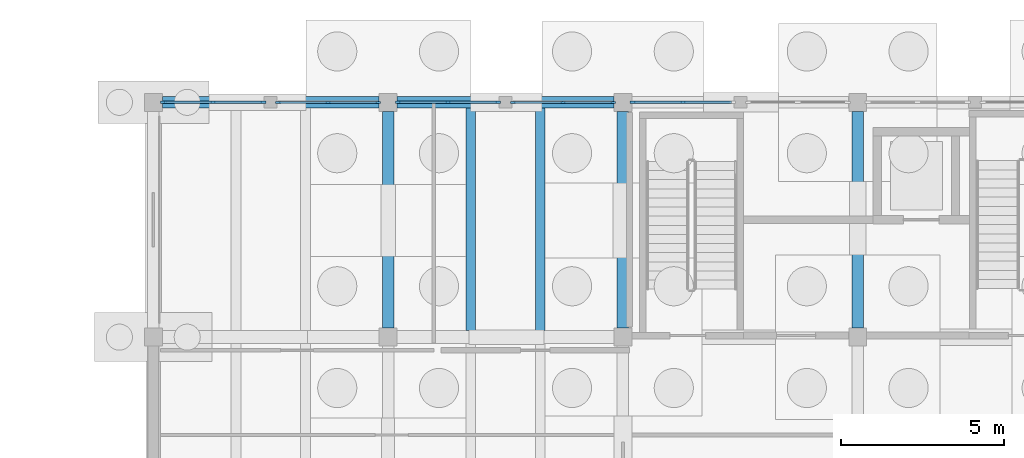
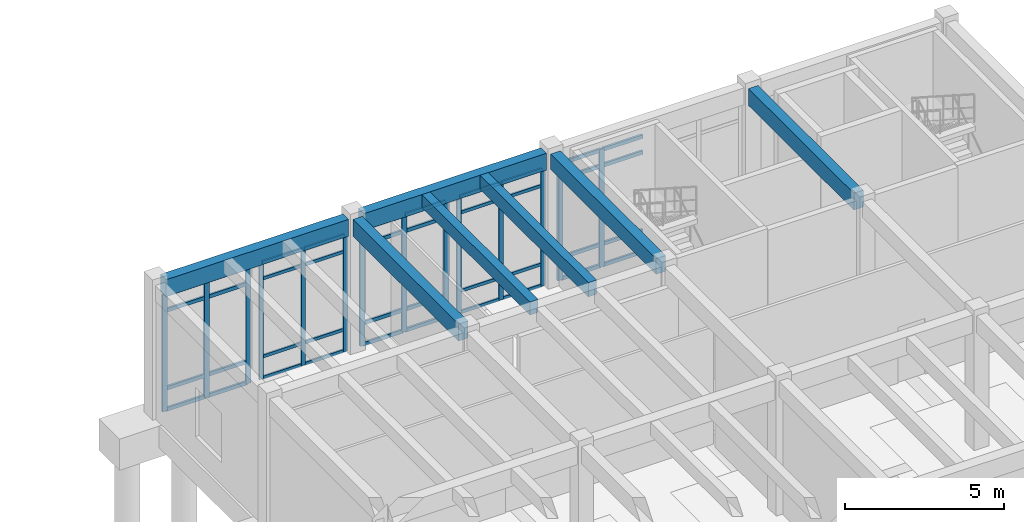
# One storey, part 32 of 93: 54 members, 7 beams, 5 elements without a shape of their own.
"""IFC4 building model written with IfcOpenShell, lengths in metres."""

from ifc_helpers import new_model, si_unit, direction, frame, origin, origin_2d, place, context, subcontext, project, spatial, rectangle, extrude, material, layer, layer_set, material_profile, profile_set, type_object, element, aggregate, save


model = new_model("IFC4")

# Units and contexts
model_context = context("Model", 3, precision=1e-05, world=origin(), true_north=direction((0.0, 1.0)))
body_context = subcontext(model_context, "Body", "Model", "MODEL_VIEW")
ifc_project = project(units=[si_unit("LENGTHUNIT", "METRE"), si_unit("AREAUNIT", "SQUARE_METRE"), si_unit("VOLUMEUNIT", "CUBIC_METRE"), si_unit("PLANEANGLEUNIT", "RADIAN"), si_unit("MASSUNIT", "GRAM", prefix="KILO")], contexts=[model_context])

# Site, building, storey
site_placement = place(None, origin())
site = spatial("IfcSite", under=ifc_project, at=site_placement, CompositionType="ELEMENT")
building_placement = place(site_placement, origin())
building = spatial("IfcBuilding", under=site, at=building_placement, Name="Koriwan Promenade Central Fire Station", CompositionType="ELEMENT")
storey_placement = place(building_placement, origin())
storey = spatial("IfcBuildingStorey", under=building, at=storey_placement, Name="L00", CompositionType="ELEMENT", Elevation=0.0)

# Beams
ifc_material_1 = material(Name="Concrete C35/45", Category="concrete")
ifc_material_profile_1 = material_profile(ifc_material_1, rectangle(XDim=0.300048828125, YDim=0.5, at=origin_2d()), Name="RC-BM-300x500")
ifc_profile_set_1 = profile_set([ifc_material_profile_1], Name="Concrete C35/45")
beam_type_1 = type_object("IfcBeamType", Name="Beam_RC-BM-300x500", PredefinedType="JOIST", material=ifc_profile_set_1)
beam_1_placement = place(storey_placement, frame((81.736083984375, 108.199951171875, 4.929931640625), z_axis=(0.0, 1.0, 0.0), x_axis=(-1.0, 0.0, 0.0)))
element("IfcBeam", 1, at=beam_1_placement, inside=storey, type_object=beam_type_1, Name="V2 L00 secondary joist 119", PredefinedType="JOIST", context=body_context, shape_type="SweptSolid", body=[
    extrude(rectangle(XDim=0.300048828125, YDim=0.5, at=origin_2d()), origin(), (0.0, 0.0, 1.0), 6.824951171875),
])
ifc_material_profile_2 = material_profile(ifc_material_1, rectangle(XDim=0.300048828125, YDim=0.550048828125, at=origin_2d()), Name="RC-BM-300x550")
ifc_profile_set_2 = profile_set([ifc_material_profile_2], Name="Concrete C35/45")
beam_type_2 = type_object("IfcBeamType", Name="Beam_RC-BM-300x550", PredefinedType="JOIST", material=ifc_profile_set_2)
beam_2_placement = place(storey_placement, frame((83.864013671875, 108.199951171875, 4.905029296875), z_axis=(0.0, 1.0, 0.0), x_axis=(-1.0, 0.0, 0.0)))
element("IfcBeam", 2, at=beam_2_placement, inside=storey, type_object=beam_type_2, Name="V2 L00 secondary joist 120", PredefinedType="JOIST", context=body_context, shape_type="SweptSolid", body=[
    extrude(rectangle(XDim=0.300048828125, YDim=0.550048828125, at=origin_2d()), origin(), (0.0, 0.0, 1.0), 6.824951171875),
])
ifc_material_profile_3 = material_profile(ifc_material_1, rectangle(XDim=0.35009765625, YDim=0.60009765625, at=origin_2d()), Name="RC-BM-350x600")
ifc_profile_set_3 = profile_set([ifc_material_profile_3], Name="Concrete C35/45")
beam_type_3 = type_object("IfcBeamType", Name="Beam_RC-BM-350x600", PredefinedType="BEAM", material=ifc_profile_set_3)
beam_3_placement = place(storey_placement, frame((86.39990234375, 108.27490234375, 4.8798828125), z_axis=(0.0, 1.0, 0.0), x_axis=(-1.0, 0.0, 0.0)))
element("IfcBeam", 3, at=beam_3_placement, inside=storey, type_object=beam_type_3, Name="V2 L00 girder Y-104", PredefinedType="BEAM", context=body_context, shape_type="SweptSolid", body=[
    extrude(rectangle(XDim=0.35009765625, YDim=0.60009765625, at=origin_2d()), origin(), (0.0, 0.0, 1.0), 6.650146484375),
])
ifc_material_profile_4 = material_profile(ifc_material_1, rectangle(XDim=0.35009765625, YDim=0.64990234375, at=origin_2d()), Name="RC-BM-350x650")
ifc_profile_set_4 = profile_set([ifc_material_profile_4], Name="Concrete C35/45")
beam_type_4 = type_object("IfcBeamType", Name="Beam_RC-BM-350x650", PredefinedType="BEAM", material=ifc_profile_set_4)
for number, where, z_axis, x_axis, name in (
    (4, (79.199951171875, 108.27490234375, 4.85498046875), (0.0, 1.0, 0.0), (-1.0, 0.0, 0.0), "V2 L00 girder Y-101"),
    (5, (93.60009765625, 108.27490234375, 4.85498046875), (0.0, 1.0, 0.0), (-1.0, 0.0, 0.0), "V2 L00 girder Y-107"),
):
    element("IfcBeam", number, at=place(storey_placement, frame(where, z_axis=z_axis, x_axis=x_axis)), inside=storey, type_object=beam_type_4, Name=name, PredefinedType="BEAM", context=body_context, shape_type="SweptSolid", body=[
        extrude(rectangle(XDim=0.35009765625, YDim=0.64990234375, at=origin_2d()), origin(), (0.0, 0.0, 1.0), 6.650146484375),
    ])
ifc_material_profile_5 = material_profile(ifc_material_1, rectangle(XDim=0.35009765625, YDim=0.64990234375, at=origin_2d()), Name="RC-SP-350x650")
ifc_profile_set_5 = profile_set([ifc_material_profile_5], Name="Concrete C35/45")
beam_type_5 = type_object("IfcBeamType", Name="Beam_RC-SP-350x650", PredefinedType="SPANDREL", material=ifc_profile_set_5)
beam_4_placement = place(storey_placement, frame((72.27490234375, 115.199951171875, 4.8349609375), z_axis=(1.0, 0.0, 0.0), x_axis=(0.0, 1.0, 0.0)))
element("IfcBeam", 6, at=beam_4_placement, inside=storey, type_object=beam_type_5, Name="V2 L00 girder X-92", PredefinedType="SPANDREL", context=body_context, shape_type="SweptSolid", body=[
    extrude(rectangle(XDim=0.35009765625, YDim=0.64990234375, at=origin_2d()), origin(), (0.0, 0.0, 1.0), 6.650146484375),
])
beam_5_placement = place(storey_placement, frame((79.47509765625, 115.199951171875, 4.85498046875), z_axis=(1.0, 0.0, 0.0), x_axis=(0.0, 1.0, 0.0)))
element("IfcBeam", 7, at=beam_5_placement, inside=storey, type_object=beam_type_5, Name="V2 L00 girder X-93", PredefinedType="SPANDREL", context=body_context, shape_type="SweptSolid", body=[
    extrude(rectangle(XDim=0.35009765625, YDim=0.64990234375, at=origin_2d()), origin(), (0.0, 0.0, 1.0), 6.64990234375),
])

# Curtain wall, members
ifc_material_2 = material(Name="Aluminium EN AW-6063-T6 and low-E glazing", Category="aluminium")
ifc_layer_1 = layer(ifc_material_2, 0.159912109375, Name="Aluminium EN AW-6063-T6 and low-E glazing")
ifc_layer_set_1 = layer_set([ifc_layer_1], Name="Aluminium EN AW-6063-T6 and low-E glazing")
curtain_wall_type_1 = type_object("IfcCurtainWallType", Name="CurtainWall_03_312x452", PredefinedType="USERDEFINED", material=ifc_layer_set_1)
curtain_wall_1_placement = place(storey_placement, origin())
curtain_wall_1 = element("IfcCurtainWall", 8, at=curtain_wall_1_placement, inside=storey, type_object=curtain_wall_type_1, Name="V2 L00 unitised curtain wall 017", ObjectType="UNITISED CURTAIN WALL", PredefinedType="USERDEFINED")
ifc_material_3 = material(Name="Aluminium EN AW-6063-T6", Category="aluminium")
ifc_material_profile_6 = material_profile(ifc_material_3, rectangle(XDim=0.06494140625, YDim=0.159912109375, at=origin_2d()), Name="ALU-MUL-65x160")
ifc_profile_set_6 = profile_set([ifc_material_profile_6], Name="Aluminium EN AW-6063-T6")
member_type_1 = type_object("IfcMemberType", Name="CWMullion_ALU-MUL-65x160", PredefinedType="MULLION", material=ifc_profile_set_6)
member_1_placement = place(storey_placement, frame((86.092529296875, 115.199951171875, 0.0), z_axis=(0.0, 0.0, 1.0), x_axis=(0.0, -1.0, 0.0)))
member_1 = element("IfcMember", 9, at=member_1_placement, type_object=member_type_1, Name="CW-03 mullion 1", PredefinedType="MULLION", context=body_context, shape_type="SweptSolid", body=[
    extrude(rectangle(XDim=0.06494140625, YDim=0.159912109375, at=origin_2d()), origin(), (0.0, 0.0, 1.0), 4.52001953125),
])
member_2_placement = place(storey_placement, frame((84.5625, 115.199951171875, 0.0), z_axis=(0.0, 0.0, 1.0), x_axis=(0.0, -1.0, 0.0)))
member_2 = element("IfcMember", 10, at=member_2_placement, type_object=member_type_1, Name="CW-03 mullion 2", PredefinedType="MULLION", context=body_context, shape_type="SweptSolid", body=[
    extrude(rectangle(XDim=0.06494140625, YDim=0.159912109375, at=origin_2d()), origin(), (0.0, 0.0, 1.0), 4.52001953125),
])
member_3_placement = place(storey_placement, frame((83.032470703125, 115.199951171875, 0.0), z_axis=(0.0, 0.0, 1.0), x_axis=(0.0, -1.0, 0.0)))
member_3 = element("IfcMember", 11, at=member_3_placement, type_object=member_type_1, Name="CW-03 mullion 3", PredefinedType="MULLION", context=body_context, shape_type="SweptSolid", body=[
    extrude(rectangle(XDim=0.06494140625, YDim=0.159912109375, at=origin_2d()), origin(), (0.0, 0.0, 1.0), 4.52001953125),
])

ifc_layer_2 = layer(ifc_material_2, 0.159912109375, Name="Aluminium EN AW-6063-T6 and low-E glazing")
ifc_layer_set_2 = layer_set([ifc_layer_2], Name="Aluminium EN AW-6063-T6 and low-E glazing")
curtain_wall_type_2 = type_object("IfcCurtainWallType", Name="CurtainWall_05_312x450", PredefinedType="USERDEFINED", material=ifc_layer_set_2)
curtain_wall_2_placement = place(storey_placement, origin())
curtain_wall_2 = element("IfcCurtainWall", 12, at=curtain_wall_2_placement, inside=storey, type_object=curtain_wall_type_2, Name="V2 L00 unitised curtain wall 019", ObjectType="UNITISED CURTAIN WALL", PredefinedType="USERDEFINED")
member_4_placement = place(storey_placement, frame((78.892578125, 115.199951171875, 0.0), z_axis=(0.0, 0.0, 1.0), x_axis=(0.0, -1.0, 0.0)))
member_4 = element("IfcMember", 13, at=member_4_placement, type_object=member_type_1, Name="CW-05 mullion 1", PredefinedType="MULLION", context=body_context, shape_type="SweptSolid", body=[
    extrude(rectangle(XDim=0.06494140625, YDim=0.159912109375, at=origin_2d()), origin(), (0.0, 0.0, 1.0), 4.5),
])
member_5_placement = place(storey_placement, frame((77.362548828125, 115.199951171875, 0.0), z_axis=(0.0, 0.0, 1.0), x_axis=(0.0, -1.0, 0.0)))
member_5 = element("IfcMember", 14, at=member_5_placement, type_object=member_type_1, Name="CW-05 mullion 2", PredefinedType="MULLION", context=body_context, shape_type="SweptSolid", body=[
    extrude(rectangle(XDim=0.06494140625, YDim=0.159912109375, at=origin_2d()), origin(), (0.0, 0.0, 1.0), 4.5),
])
member_6_placement = place(storey_placement, frame((75.83251953125, 115.199951171875, 0.0), z_axis=(0.0, 0.0, 1.0), x_axis=(0.0, -1.0, 0.0)))
member_6 = element("IfcMember", 15, at=member_6_placement, type_object=member_type_1, Name="CW-05 mullion 3", PredefinedType="MULLION", context=body_context, shape_type="SweptSolid", body=[
    extrude(rectangle(XDim=0.06494140625, YDim=0.159912109375, at=origin_2d()), origin(), (0.0, 0.0, 1.0), 4.5),
])

ifc_layer_3 = layer(ifc_material_2, 0.159912109375, Name="Aluminium EN AW-6063-T6 and low-E glazing")
ifc_layer_set_3 = layer_set([ifc_layer_3], Name="Aluminium EN AW-6063-T6 and low-E glazing")
curtain_wall_type_3 = type_object("IfcCurtainWallType", Name="CurtainWall_04_312x452", PredefinedType="USERDEFINED", material=ifc_layer_set_3)
curtain_wall_3_placement = place(storey_placement, origin())
curtain_wall_3 = element("IfcCurtainWall", 16, at=curtain_wall_3_placement, inside=storey, type_object=curtain_wall_type_3, Name="V2 L00 unitised curtain wall 016", ObjectType="UNITISED CURTAIN WALL", PredefinedType="USERDEFINED")
ifc_material_profile_7 = material_profile(ifc_material_3, rectangle(XDim=0.074951171875, YDim=0.179931640625, at=origin_2d()), Name="ALU-MUL-75x180")
ifc_profile_set_7 = profile_set([ifc_material_profile_7], Name="Aluminium EN AW-6063-T6")
member_type_2 = type_object("IfcMemberType", Name="CWMullion_ALU-MUL-75x180", PredefinedType="MULLION", material=ifc_profile_set_7)
member_7_placement = place(storey_placement, frame((88.237548828125, 115.199951171875, 0.0), z_axis=(0.0, 0.0, 1.0), x_axis=(0.0, -1.0, 0.0)))
member_7 = element("IfcMember", 17, at=member_7_placement, type_object=member_type_2, Name="CW-04 mullion 2", PredefinedType="MULLION", context=body_context, shape_type="SweptSolid", body=[
    extrude(rectangle(XDim=0.074951171875, YDim=0.179931640625, at=origin_2d()), origin(), (0.0, 0.0, 1.0), 4.52001953125),
])
member_8_placement = place(storey_placement, frame((86.71240234375, 115.199951171875, 0.0), z_axis=(0.0, 0.0, 1.0), x_axis=(0.0, -1.0, 0.0)))
member_8 = element("IfcMember", 18, at=member_8_placement, type_object=member_type_2, Name="CW-04 mullion 3", PredefinedType="MULLION", context=body_context, shape_type="SweptSolid", body=[
    extrude(rectangle(XDim=0.074951171875, YDim=0.179931640625, at=origin_2d()), origin(), (0.0, 0.0, 1.0), 4.52001953125),
])

curtain_wall_4_placement = place(storey_placement, origin())
curtain_wall_4 = element("IfcCurtainWall", 19, at=curtain_wall_4_placement, inside=storey, type_object=curtain_wall_type_3, Name="V2 L00 unitised curtain wall 018", ObjectType="UNITISED CURTAIN WALL", PredefinedType="USERDEFINED")
member_9_placement = place(storey_placement, frame((82.5625, 115.199951171875, 0.0), z_axis=(0.0, 0.0, 1.0), x_axis=(0.0, -1.0, 0.0)))
member_9 = element("IfcMember", 20, at=member_9_placement, type_object=member_type_2, Name="CW-04 mullion 1", PredefinedType="MULLION", context=body_context, shape_type="SweptSolid", body=[
    extrude(rectangle(XDim=0.074951171875, YDim=0.179931640625, at=origin_2d()), origin(), (0.0, 0.0, 1.0), 4.52001953125),
])
member_10_placement = place(storey_placement, frame((81.03759765625, 115.199951171875, 0.0), z_axis=(0.0, 0.0, 1.0), x_axis=(0.0, -1.0, 0.0)))
member_10 = element("IfcMember", 21, at=member_10_placement, type_object=member_type_2, Name="CW-04 mullion 2", PredefinedType="MULLION", context=body_context, shape_type="SweptSolid", body=[
    extrude(rectangle(XDim=0.074951171875, YDim=0.179931640625, at=origin_2d()), origin(), (0.0, 0.0, 1.0), 4.52001953125),
])
member_11_placement = place(storey_placement, frame((79.512451171875, 115.199951171875, 0.0), z_axis=(0.0, 0.0, 1.0), x_axis=(0.0, -1.0, 0.0)))
member_11 = element("IfcMember", 22, at=member_11_placement, type_object=member_type_2, Name="CW-04 mullion 3", PredefinedType="MULLION", context=body_context, shape_type="SweptSolid", body=[
    extrude(rectangle(XDim=0.074951171875, YDim=0.179931640625, at=origin_2d()), origin(), (0.0, 0.0, 1.0), 4.52001953125),
])

ifc_layer_4 = layer(ifc_material_2, 0.159912109375, Name="Aluminium EN AW-6063-T6 and low-E glazing")
ifc_layer_set_4 = layer_set([ifc_layer_4], Name="Aluminium EN AW-6063-T6 and low-E glazing")
curtain_wall_type_4 = type_object("IfcCurtainWallType", Name="CurtainWall_06_312x450", PredefinedType="USERDEFINED", material=ifc_layer_set_4)
curtain_wall_5_placement = place(storey_placement, origin())
curtain_wall_5 = element("IfcCurtainWall", 23, at=curtain_wall_5_placement, inside=storey, type_object=curtain_wall_type_4, Name="V2 L00 unitised curtain wall 020", ObjectType="UNITISED CURTAIN WALL", PredefinedType="USERDEFINED")
member_12_placement = place(storey_placement, frame((75.362548828125, 115.199951171875, 0.0), z_axis=(0.0, 0.0, 1.0), x_axis=(0.0, -1.0, 0.0)))
member_12 = element("IfcMember", 24, at=member_12_placement, type_object=member_type_2, Name="CW-06 mullion 1", PredefinedType="MULLION", context=body_context, shape_type="SweptSolid", body=[
    extrude(rectangle(XDim=0.074951171875, YDim=0.179931640625, at=origin_2d()), origin(), (0.0, 0.0, 1.0), 4.5),
])
member_13_placement = place(storey_placement, frame((73.83740234375, 115.199951171875, 0.0), z_axis=(0.0, 0.0, 1.0), x_axis=(0.0, -1.0, 0.0)))
member_13 = element("IfcMember", 25, at=member_13_placement, type_object=member_type_2, Name="CW-06 mullion 2", PredefinedType="MULLION", context=body_context, shape_type="SweptSolid", body=[
    extrude(rectangle(XDim=0.074951171875, YDim=0.179931640625, at=origin_2d()), origin(), (0.0, 0.0, 1.0), 4.5),
])
member_14_placement = place(storey_placement, frame((72.3125, 115.199951171875, 0.0), z_axis=(0.0, 0.0, 1.0), x_axis=(0.0, -1.0, 0.0)))
member_14 = element("IfcMember", 26, at=member_14_placement, type_object=member_type_2, Name="CW-06 mullion 3", PredefinedType="MULLION", context=body_context, shape_type="SweptSolid", body=[
    extrude(rectangle(XDim=0.074951171875, YDim=0.179931640625, at=origin_2d()), origin(), (0.0, 0.0, 1.0), 4.5),
])

# Member
ifc_material_profile_8 = material_profile(ifc_material_3, rectangle(XDim=0.06494140625, YDim=0.1201171875, at=origin_2d()), Name="ALU-TRN-65x120")
ifc_profile_set_8 = profile_set([ifc_material_profile_8], Name="Aluminium EN AW-6063-T6")
member_type_3 = type_object("IfcMemberType", Name="CWTransom_ALU-TRN-65x120", PredefinedType="USERDEFINED", material=ifc_profile_set_8)
member_15_placement = place(storey_placement, frame((86.06005859375, 115.199951171875, 0.032470703125), z_axis=(-1.0, 0.0, 0.0), x_axis=(0.0, -1.0, 0.0)))
member_15 = element("IfcMember", 27, at=member_15_placement, type_object=member_type_3, Name="CW-03 transom 1.1", ObjectType="TRANSOM", PredefinedType="USERDEFINED", context=body_context, shape_type="SweptSolid", body=[
    extrude(rectangle(XDim=0.06494140625, YDim=0.1201171875, at=origin_2d()), origin(), (0.0, 0.0, 1.0), 1.465087890625),
])

member_16_placement = place(storey_placement, frame((86.06005859375, 115.199951171875, 0.85009765625), z_axis=(-1.0, 0.0, 0.0), x_axis=(0.0, -1.0, 0.0)))
member_16 = element("IfcMember", 28, at=member_16_placement, type_object=member_type_3, Name="CW-03 transom 1.2", ObjectType="TRANSOM", PredefinedType="USERDEFINED", context=body_context, shape_type="SweptSolid", body=[
    extrude(rectangle(XDim=0.06494140625, YDim=0.1201171875, at=origin_2d()), origin(), (0.0, 0.0, 1.0), 1.465087890625),
])

member_17_placement = place(storey_placement, frame((86.06005859375, 115.199951171875, 3.8701171875), z_axis=(-1.0, 0.0, 0.0), x_axis=(0.0, -1.0, 0.0)))
member_17 = element("IfcMember", 29, at=member_17_placement, type_object=member_type_3, Name="CW-03 transom 1.3", ObjectType="TRANSOM", PredefinedType="USERDEFINED", context=body_context, shape_type="SweptSolid", body=[
    extrude(rectangle(XDim=0.06494140625, YDim=0.1201171875, at=origin_2d()), origin(), (0.0, 0.0, 1.0), 1.465087890625),
])

member_18_placement = place(storey_placement, frame((86.06005859375, 115.199951171875, 4.487548828125), z_axis=(-1.0, 0.0, 0.0), x_axis=(0.0, -1.0, 0.0)))
member_18 = element("IfcMember", 30, at=member_18_placement, type_object=member_type_3, Name="CW-03 transom 1.4", ObjectType="TRANSOM", PredefinedType="USERDEFINED", context=body_context, shape_type="SweptSolid", body=[
    extrude(rectangle(XDim=0.06494140625, YDim=0.1201171875, at=origin_2d()), origin(), (0.0, 0.0, 1.0), 1.465087890625),
])

member_19_placement = place(storey_placement, frame((84.530029296875, 115.199951171875, 0.032470703125), z_axis=(-1.0, 0.0, 0.0), x_axis=(0.0, -1.0, 0.0)))
member_19 = element("IfcMember", 31, at=member_19_placement, type_object=member_type_3, Name="CW-03 transom 2.1", ObjectType="TRANSOM", PredefinedType="USERDEFINED", context=body_context, shape_type="SweptSolid", body=[
    extrude(rectangle(XDim=0.06494140625, YDim=0.1201171875, at=origin_2d()), origin(), (0.0, 0.0, 1.0), 1.465087890625),
])

member_20_placement = place(storey_placement, frame((84.530029296875, 115.199951171875, 0.85009765625), z_axis=(-1.0, 0.0, 0.0), x_axis=(0.0, -1.0, 0.0)))
member_20 = element("IfcMember", 32, at=member_20_placement, type_object=member_type_3, Name="CW-03 transom 2.2", ObjectType="TRANSOM", PredefinedType="USERDEFINED", context=body_context, shape_type="SweptSolid", body=[
    extrude(rectangle(XDim=0.06494140625, YDim=0.1201171875, at=origin_2d()), origin(), (0.0, 0.0, 1.0), 1.465087890625),
])

member_21_placement = place(storey_placement, frame((84.530029296875, 115.199951171875, 3.8701171875), z_axis=(-1.0, 0.0, 0.0), x_axis=(0.0, -1.0, 0.0)))
member_21 = element("IfcMember", 33, at=member_21_placement, type_object=member_type_3, Name="CW-03 transom 2.3", ObjectType="TRANSOM", PredefinedType="USERDEFINED", context=body_context, shape_type="SweptSolid", body=[
    extrude(rectangle(XDim=0.06494140625, YDim=0.1201171875, at=origin_2d()), origin(), (0.0, 0.0, 1.0), 1.465087890625),
])

member_22_placement = place(storey_placement, frame((84.530029296875, 115.199951171875, 4.487548828125), z_axis=(-1.0, 0.0, 0.0), x_axis=(0.0, -1.0, 0.0)))
member_22 = element("IfcMember", 34, at=member_22_placement, type_object=member_type_3, Name="CW-03 transom 2.4", ObjectType="TRANSOM", PredefinedType="USERDEFINED", context=body_context, shape_type="SweptSolid", body=[
    extrude(rectangle(XDim=0.06494140625, YDim=0.1201171875, at=origin_2d()), origin(), (0.0, 0.0, 1.0), 1.465087890625),
])

aggregate(curtain_wall_1, [member_1, member_2, member_3, member_15, member_16, member_17, member_18, member_19, member_20, member_21, member_22])

member_23_placement = place(storey_placement, frame((78.860107421875, 115.199951171875, 0.032470703125), z_axis=(-1.0, 0.0, 0.0), x_axis=(0.0, -1.0, 0.0)))
member_23 = element("IfcMember", 35, at=member_23_placement, type_object=member_type_3, Name="CW-05 transom 1.1", ObjectType="TRANSOM", PredefinedType="USERDEFINED", context=body_context, shape_type="SweptSolid", body=[
    extrude(rectangle(XDim=0.06494140625, YDim=0.1201171875, at=origin_2d()), origin(), (0.0, 0.0, 1.0), 1.465087890625),
])

member_24_placement = place(storey_placement, frame((78.860107421875, 115.199951171875, 0.85009765625), z_axis=(-1.0, 0.0, 0.0), x_axis=(0.0, -1.0, 0.0)))
member_24 = element("IfcMember", 36, at=member_24_placement, type_object=member_type_3, Name="CW-05 transom 1.2", ObjectType="TRANSOM", PredefinedType="USERDEFINED", context=body_context, shape_type="SweptSolid", body=[
    extrude(rectangle(XDim=0.06494140625, YDim=0.1201171875, at=origin_2d()), origin(), (0.0, 0.0, 1.0), 1.465087890625),
])

member_25_placement = place(storey_placement, frame((78.860107421875, 115.199951171875, 3.85009765625), z_axis=(-1.0, 0.0, 0.0), x_axis=(0.0, -1.0, 0.0)))
member_25 = element("IfcMember", 37, at=member_25_placement, type_object=member_type_3, Name="CW-05 transom 1.3", ObjectType="TRANSOM", PredefinedType="USERDEFINED", context=body_context, shape_type="SweptSolid", body=[
    extrude(rectangle(XDim=0.06494140625, YDim=0.1201171875, at=origin_2d()), origin(), (0.0, 0.0, 1.0), 1.465087890625),
])

member_26_placement = place(storey_placement, frame((78.860107421875, 115.199951171875, 4.467529296875), z_axis=(-1.0, 0.0, 0.0), x_axis=(0.0, -1.0, 0.0)))
member_26 = element("IfcMember", 38, at=member_26_placement, type_object=member_type_3, Name="CW-05 transom 1.4", ObjectType="TRANSOM", PredefinedType="USERDEFINED", context=body_context, shape_type="SweptSolid", body=[
    extrude(rectangle(XDim=0.06494140625, YDim=0.1201171875, at=origin_2d()), origin(), (0.0, 0.0, 1.0), 1.465087890625),
])

member_27_placement = place(storey_placement, frame((77.330078125, 115.199951171875, 0.032470703125), z_axis=(-1.0, 0.0, 0.0), x_axis=(0.0, -1.0, 0.0)))
member_27 = element("IfcMember", 39, at=member_27_placement, type_object=member_type_3, Name="CW-05 transom 2.1", ObjectType="TRANSOM", PredefinedType="USERDEFINED", context=body_context, shape_type="SweptSolid", body=[
    extrude(rectangle(XDim=0.06494140625, YDim=0.1201171875, at=origin_2d()), origin(), (0.0, 0.0, 1.0), 1.465087890625),
])

member_28_placement = place(storey_placement, frame((77.330078125, 115.199951171875, 0.85009765625), z_axis=(-1.0, 0.0, 0.0), x_axis=(0.0, -1.0, 0.0)))
member_28 = element("IfcMember", 40, at=member_28_placement, type_object=member_type_3, Name="CW-05 transom 2.2", ObjectType="TRANSOM", PredefinedType="USERDEFINED", context=body_context, shape_type="SweptSolid", body=[
    extrude(rectangle(XDim=0.06494140625, YDim=0.1201171875, at=origin_2d()), origin(), (0.0, 0.0, 1.0), 1.465087890625),
])

member_29_placement = place(storey_placement, frame((77.330078125, 115.199951171875, 3.85009765625), z_axis=(-1.0, 0.0, 0.0), x_axis=(0.0, -1.0, 0.0)))
member_29 = element("IfcMember", 41, at=member_29_placement, type_object=member_type_3, Name="CW-05 transom 2.3", ObjectType="TRANSOM", PredefinedType="USERDEFINED", context=body_context, shape_type="SweptSolid", body=[
    extrude(rectangle(XDim=0.06494140625, YDim=0.1201171875, at=origin_2d()), origin(), (0.0, 0.0, 1.0), 1.465087890625),
])

member_30_placement = place(storey_placement, frame((77.330078125, 115.199951171875, 4.467529296875), z_axis=(-1.0, 0.0, 0.0), x_axis=(0.0, -1.0, 0.0)))
member_30 = element("IfcMember", 42, at=member_30_placement, type_object=member_type_3, Name="CW-05 transom 2.4", ObjectType="TRANSOM", PredefinedType="USERDEFINED", context=body_context, shape_type="SweptSolid", body=[
    extrude(rectangle(XDim=0.06494140625, YDim=0.1201171875, at=origin_2d()), origin(), (0.0, 0.0, 1.0), 1.465087890625),
])

aggregate(curtain_wall_2, [member_4, member_5, member_6, member_23, member_24, member_25, member_26, member_27, member_28, member_29, member_30])

ifc_material_profile_9 = material_profile(ifc_material_3, rectangle(XDim=0.074951171875, YDim=0.139892578125, at=origin_2d()), Name="ALU-TRN-75x140")
ifc_profile_set_9 = profile_set([ifc_material_profile_9], Name="Aluminium EN AW-6063-T6")
member_type_4 = type_object("IfcMemberType", Name="CWTransom_ALU-TRN-75x140", PredefinedType="USERDEFINED", material=ifc_profile_set_9)
member_31_placement = place(storey_placement, frame((89.72509765625, 115.199951171875, 0.03759765625), z_axis=(-1.0, 0.0, 0.0), x_axis=(0.0, -1.0, 0.0)))
member_31 = element("IfcMember", 43, at=member_31_placement, type_object=member_type_4, Name="CW-04 transom 1.1", ObjectType="TRANSOM", PredefinedType="USERDEFINED", context=body_context, shape_type="SweptSolid", body=[
    extrude(rectangle(XDim=0.074951171875, YDim=0.139892578125, at=origin_2d()), origin(), (0.0, 0.0, 1.0), 1.4501953125),
])

member_32_placement = place(storey_placement, frame((89.72509765625, 115.199951171875, 0.85009765625), z_axis=(-1.0, 0.0, 0.0), x_axis=(0.0, -1.0, 0.0)))
member_32 = element("IfcMember", 44, at=member_32_placement, type_object=member_type_4, Name="CW-04 transom 1.2", ObjectType="TRANSOM", PredefinedType="USERDEFINED", context=body_context, shape_type="SweptSolid", body=[
    extrude(rectangle(XDim=0.074951171875, YDim=0.139892578125, at=origin_2d()), origin(), (0.0, 0.0, 1.0), 1.4501953125),
])

member_33_placement = place(storey_placement, frame((89.72509765625, 115.199951171875, 3.8701171875), z_axis=(-1.0, 0.0, 0.0), x_axis=(0.0, -1.0, 0.0)))
member_33 = element("IfcMember", 45, at=member_33_placement, type_object=member_type_4, Name="CW-04 transom 1.3", ObjectType="TRANSOM", PredefinedType="USERDEFINED", context=body_context, shape_type="SweptSolid", body=[
    extrude(rectangle(XDim=0.074951171875, YDim=0.139892578125, at=origin_2d()), origin(), (0.0, 0.0, 1.0), 1.4501953125),
])

member_34_placement = place(storey_placement, frame((89.72509765625, 115.199951171875, 4.482421875), z_axis=(-1.0, 0.0, 0.0), x_axis=(0.0, -1.0, 0.0)))
member_34 = element("IfcMember", 46, at=member_34_placement, type_object=member_type_4, Name="CW-04 transom 1.4", ObjectType="TRANSOM", PredefinedType="USERDEFINED", context=body_context, shape_type="SweptSolid", body=[
    extrude(rectangle(XDim=0.074951171875, YDim=0.139892578125, at=origin_2d()), origin(), (0.0, 0.0, 1.0), 1.4501953125),
])

member_35_placement = place(storey_placement, frame((88.199951171875, 115.199951171875, 0.03759765625), z_axis=(-1.0, 0.0, 0.0), x_axis=(0.0, -1.0, 0.0)))
member_35 = element("IfcMember", 47, at=member_35_placement, type_object=member_type_4, Name="CW-04 transom 2.1", ObjectType="TRANSOM", PredefinedType="USERDEFINED", context=body_context, shape_type="SweptSolid", body=[
    extrude(rectangle(XDim=0.074951171875, YDim=0.139892578125, at=origin_2d()), origin(), (0.0, 0.0, 1.0), 1.449951171875),
])

member_36_placement = place(storey_placement, frame((88.199951171875, 115.199951171875, 0.85009765625), z_axis=(-1.0, 0.0, 0.0), x_axis=(0.0, -1.0, 0.0)))
member_36 = element("IfcMember", 48, at=member_36_placement, type_object=member_type_4, Name="CW-04 transom 2.2", ObjectType="TRANSOM", PredefinedType="USERDEFINED", context=body_context, shape_type="SweptSolid", body=[
    extrude(rectangle(XDim=0.074951171875, YDim=0.139892578125, at=origin_2d()), origin(), (0.0, 0.0, 1.0), 1.449951171875),
])

member_37_placement = place(storey_placement, frame((88.199951171875, 115.199951171875, 3.8701171875), z_axis=(-1.0, 0.0, 0.0), x_axis=(0.0, -1.0, 0.0)))
member_37 = element("IfcMember", 49, at=member_37_placement, type_object=member_type_4, Name="CW-04 transom 2.3", ObjectType="TRANSOM", PredefinedType="USERDEFINED", context=body_context, shape_type="SweptSolid", body=[
    extrude(rectangle(XDim=0.074951171875, YDim=0.139892578125, at=origin_2d()), origin(), (0.0, 0.0, 1.0), 1.449951171875),
])

member_38_placement = place(storey_placement, frame((88.199951171875, 115.199951171875, 4.482421875), z_axis=(-1.0, 0.0, 0.0), x_axis=(0.0, -1.0, 0.0)))
member_38 = element("IfcMember", 50, at=member_38_placement, type_object=member_type_4, Name="CW-04 transom 2.4", ObjectType="TRANSOM", PredefinedType="USERDEFINED", context=body_context, shape_type="SweptSolid", body=[
    extrude(rectangle(XDim=0.074951171875, YDim=0.139892578125, at=origin_2d()), origin(), (0.0, 0.0, 1.0), 1.449951171875),
])

aggregate(curtain_wall_3, [member_7, member_8, member_31, member_32, member_33, member_34, member_35, member_36, member_37, member_38])

member_39_placement = place(storey_placement, frame((82.52490234375, 115.199951171875, 0.03759765625), z_axis=(-1.0, 0.0, 0.0), x_axis=(0.0, -1.0, 0.0)))
member_39 = element("IfcMember", 51, at=member_39_placement, type_object=member_type_4, Name="CW-04 transom 1.1", ObjectType="TRANSOM", PredefinedType="USERDEFINED", context=body_context, shape_type="SweptSolid", body=[
    extrude(rectangle(XDim=0.074951171875, YDim=0.139892578125, at=origin_2d()), origin(), (0.0, 0.0, 1.0), 1.449951171875),
])

member_40_placement = place(storey_placement, frame((82.52490234375, 115.199951171875, 0.85009765625), z_axis=(-1.0, 0.0, 0.0), x_axis=(0.0, -1.0, 0.0)))
member_40 = element("IfcMember", 52, at=member_40_placement, type_object=member_type_4, Name="CW-04 transom 1.2", ObjectType="TRANSOM", PredefinedType="USERDEFINED", context=body_context, shape_type="SweptSolid", body=[
    extrude(rectangle(XDim=0.074951171875, YDim=0.139892578125, at=origin_2d()), origin(), (0.0, 0.0, 1.0), 1.449951171875),
])

member_41_placement = place(storey_placement, frame((82.52490234375, 115.199951171875, 3.8701171875), z_axis=(-1.0, 0.0, 0.0), x_axis=(0.0, -1.0, 0.0)))
member_41 = element("IfcMember", 53, at=member_41_placement, type_object=member_type_4, Name="CW-04 transom 1.3", ObjectType="TRANSOM", PredefinedType="USERDEFINED", context=body_context, shape_type="SweptSolid", body=[
    extrude(rectangle(XDim=0.074951171875, YDim=0.139892578125, at=origin_2d()), origin(), (0.0, 0.0, 1.0), 1.449951171875),
])

member_42_placement = place(storey_placement, frame((82.52490234375, 115.199951171875, 4.482421875), z_axis=(-1.0, 0.0, 0.0), x_axis=(0.0, -1.0, 0.0)))
member_42 = element("IfcMember", 54, at=member_42_placement, type_object=member_type_4, Name="CW-04 transom 1.4", ObjectType="TRANSOM", PredefinedType="USERDEFINED", context=body_context, shape_type="SweptSolid", body=[
    extrude(rectangle(XDim=0.074951171875, YDim=0.139892578125, at=origin_2d()), origin(), (0.0, 0.0, 1.0), 1.449951171875),
])

member_43_placement = place(storey_placement, frame((81.0, 115.199951171875, 0.03759765625), z_axis=(-1.0, 0.0, 0.0), x_axis=(0.0, -1.0, 0.0)))
member_43 = element("IfcMember", 55, at=member_43_placement, type_object=member_type_4, Name="CW-04 transom 2.1", ObjectType="TRANSOM", PredefinedType="USERDEFINED", context=body_context, shape_type="SweptSolid", body=[
    extrude(rectangle(XDim=0.074951171875, YDim=0.139892578125, at=origin_2d()), origin(), (0.0, 0.0, 1.0), 1.449951171875),
])

member_44_placement = place(storey_placement, frame((81.0, 115.199951171875, 0.85009765625), z_axis=(-1.0, 0.0, 0.0), x_axis=(0.0, -1.0, 0.0)))
member_44 = element("IfcMember", 56, at=member_44_placement, type_object=member_type_4, Name="CW-04 transom 2.2", ObjectType="TRANSOM", PredefinedType="USERDEFINED", context=body_context, shape_type="SweptSolid", body=[
    extrude(rectangle(XDim=0.074951171875, YDim=0.139892578125, at=origin_2d()), origin(), (0.0, 0.0, 1.0), 1.449951171875),
])

member_45_placement = place(storey_placement, frame((81.0, 115.199951171875, 3.8701171875), z_axis=(-1.0, 0.0, 0.0), x_axis=(0.0, -1.0, 0.0)))
member_45 = element("IfcMember", 57, at=member_45_placement, type_object=member_type_4, Name="CW-04 transom 2.3", ObjectType="TRANSOM", PredefinedType="USERDEFINED", context=body_context, shape_type="SweptSolid", body=[
    extrude(rectangle(XDim=0.074951171875, YDim=0.139892578125, at=origin_2d()), origin(), (0.0, 0.0, 1.0), 1.449951171875),
])

member_46_placement = place(storey_placement, frame((81.0, 115.199951171875, 4.482421875), z_axis=(-1.0, 0.0, 0.0), x_axis=(0.0, -1.0, 0.0)))
member_46 = element("IfcMember", 58, at=member_46_placement, type_object=member_type_4, Name="CW-04 transom 2.4", ObjectType="TRANSOM", PredefinedType="USERDEFINED", context=body_context, shape_type="SweptSolid", body=[
    extrude(rectangle(XDim=0.074951171875, YDim=0.139892578125, at=origin_2d()), origin(), (0.0, 0.0, 1.0), 1.449951171875),
])

aggregate(curtain_wall_4, [member_9, member_10, member_11, member_39, member_40, member_41, member_42, member_43, member_44, member_45, member_46])

member_47_placement = place(storey_placement, frame((75.324951171875, 115.199951171875, 0.03759765625), z_axis=(-1.0, 0.0, 0.0), x_axis=(0.0, -1.0, 0.0)))
member_47 = element("IfcMember", 59, at=member_47_placement, type_object=member_type_4, Name="CW-06 transom 1.1", ObjectType="TRANSOM", PredefinedType="USERDEFINED", context=body_context, shape_type="SweptSolid", body=[
    extrude(rectangle(XDim=0.074951171875, YDim=0.139892578125, at=origin_2d()), origin(), (0.0, 0.0, 1.0), 1.449951171875),
])

member_48_placement = place(storey_placement, frame((75.324951171875, 115.199951171875, 0.85009765625), z_axis=(-1.0, 0.0, 0.0), x_axis=(0.0, -1.0, 0.0)))
member_48 = element("IfcMember", 60, at=member_48_placement, type_object=member_type_4, Name="CW-06 transom 1.2", ObjectType="TRANSOM", PredefinedType="USERDEFINED", context=body_context, shape_type="SweptSolid", body=[
    extrude(rectangle(XDim=0.074951171875, YDim=0.139892578125, at=origin_2d()), origin(), (0.0, 0.0, 1.0), 1.449951171875),
])

member_49_placement = place(storey_placement, frame((75.324951171875, 115.199951171875, 3.85009765625), z_axis=(-1.0, 0.0, 0.0), x_axis=(0.0, -1.0, 0.0)))
member_49 = element("IfcMember", 61, at=member_49_placement, type_object=member_type_4, Name="CW-06 transom 1.3", ObjectType="TRANSOM", PredefinedType="USERDEFINED", context=body_context, shape_type="SweptSolid", body=[
    extrude(rectangle(XDim=0.074951171875, YDim=0.139892578125, at=origin_2d()), origin(), (0.0, 0.0, 1.0), 1.449951171875),
])

member_50_placement = place(storey_placement, frame((75.324951171875, 115.199951171875, 4.46240234375), z_axis=(-1.0, 0.0, 0.0), x_axis=(0.0, -1.0, 0.0)))
member_50 = element("IfcMember", 62, at=member_50_placement, type_object=member_type_4, Name="CW-06 transom 1.4", ObjectType="TRANSOM", PredefinedType="USERDEFINED", context=body_context, shape_type="SweptSolid", body=[
    extrude(rectangle(XDim=0.074951171875, YDim=0.139892578125, at=origin_2d()), origin(), (0.0, 0.0, 1.0), 1.449951171875),
])

member_51_placement = place(storey_placement, frame((73.800048828125, 115.199951171875, 0.03759765625), z_axis=(-1.0, 0.0, 0.0), x_axis=(0.0, -1.0, 0.0)))
member_51 = element("IfcMember", 63, at=member_51_placement, type_object=member_type_4, Name="CW-06 transom 2.1", ObjectType="TRANSOM", PredefinedType="USERDEFINED", context=body_context, shape_type="SweptSolid", body=[
    extrude(rectangle(XDim=0.074951171875, YDim=0.139892578125, at=origin_2d()), origin(), (0.0, 0.0, 1.0), 1.449951171875),
])

member_52_placement = place(storey_placement, frame((73.800048828125, 115.199951171875, 0.85009765625), z_axis=(-1.0, 0.0, 0.0), x_axis=(0.0, -1.0, 0.0)))
member_52 = element("IfcMember", 64, at=member_52_placement, type_object=member_type_4, Name="CW-06 transom 2.2", ObjectType="TRANSOM", PredefinedType="USERDEFINED", context=body_context, shape_type="SweptSolid", body=[
    extrude(rectangle(XDim=0.074951171875, YDim=0.139892578125, at=origin_2d()), origin(), (0.0, 0.0, 1.0), 1.449951171875),
])

member_53_placement = place(storey_placement, frame((73.800048828125, 115.199951171875, 3.85009765625), z_axis=(-1.0, 0.0, 0.0), x_axis=(0.0, -1.0, 0.0)))
member_53 = element("IfcMember", 65, at=member_53_placement, type_object=member_type_4, Name="CW-06 transom 2.3", ObjectType="TRANSOM", PredefinedType="USERDEFINED", context=body_context, shape_type="SweptSolid", body=[
    extrude(rectangle(XDim=0.074951171875, YDim=0.139892578125, at=origin_2d()), origin(), (0.0, 0.0, 1.0), 1.449951171875),
])

member_54_placement = place(storey_placement, frame((73.800048828125, 115.199951171875, 4.46240234375), z_axis=(-1.0, 0.0, 0.0), x_axis=(0.0, -1.0, 0.0)))
member_54 = element("IfcMember", 66, at=member_54_placement, type_object=member_type_4, Name="CW-06 transom 2.4", ObjectType="TRANSOM", PredefinedType="USERDEFINED", context=body_context, shape_type="SweptSolid", body=[
    extrude(rectangle(XDim=0.074951171875, YDim=0.139892578125, at=origin_2d()), origin(), (0.0, 0.0, 1.0), 1.449951171875),
])

aggregate(curtain_wall_5, [member_12, member_13, member_14, member_47, member_48, member_49, member_50, member_51, member_52, member_53, member_54])

save(model, "model.ifc")
